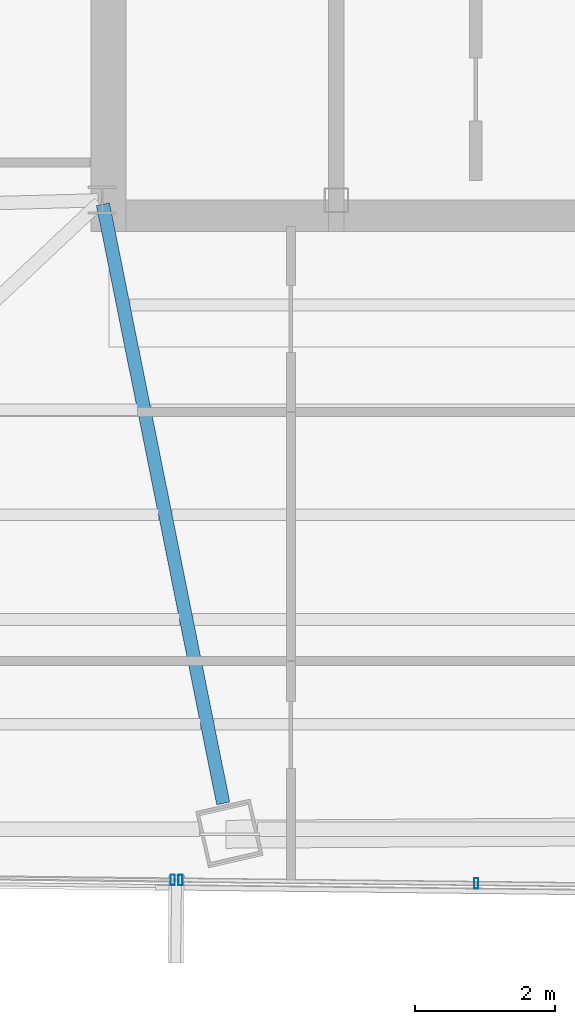
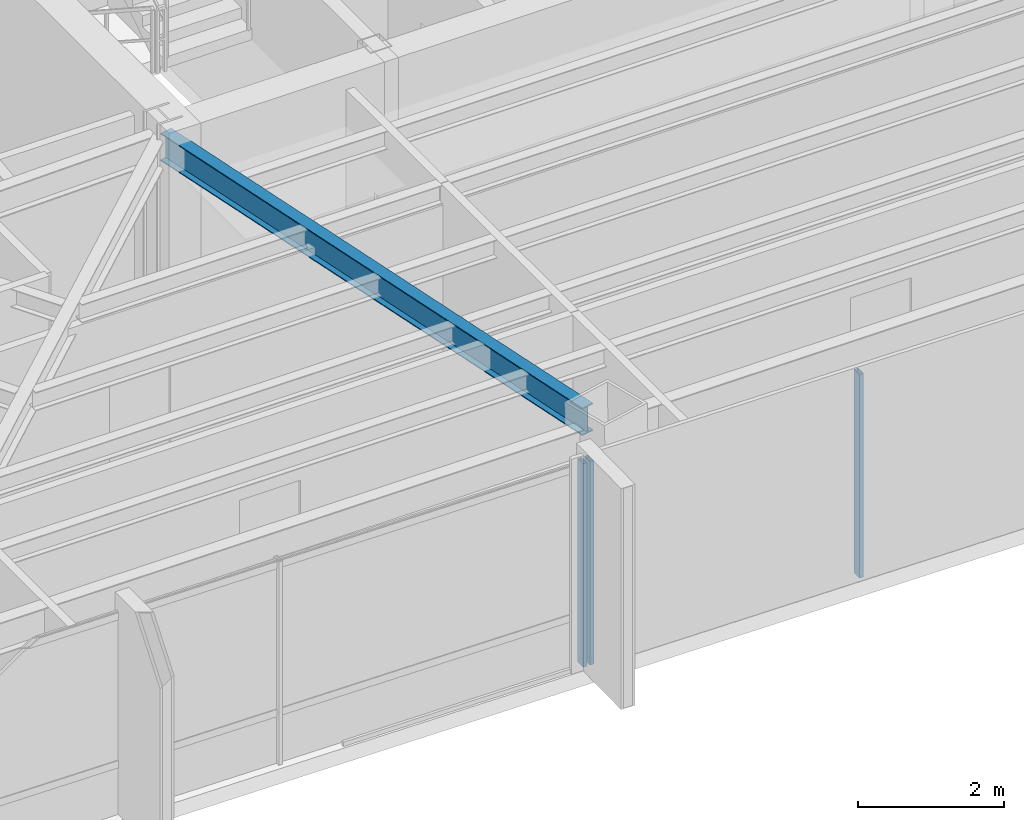
# One storey, part 9 of 42: 3 members, 1 beam, 2 elements without a shape of their own.
"""IFC4 building model written with IfcOpenShell, lengths in metres."""

from ifc_helpers import new_model, si_unit, direction, frame, origin, origin_2d, place, context, subcontext, project, spatial, hollow_rectangle, i_section, extrude, source, transform, mapped, material, material_profile, profile_set, type_object, type_shapes, element, aggregate, save


model = new_model("IFC4")

# Units and contexts
model_context = context("Model", 3, precision=1e-05, world=origin(), true_north=direction((0.0, 1.0)))
body_context = subcontext(model_context, "Body", "Model", "MODEL_VIEW")
ifc_project = project(units=[si_unit("LENGTHUNIT", "METRE"), si_unit("AREAUNIT", "SQUARE_METRE"), si_unit("VOLUMEUNIT", "CUBIC_METRE"), si_unit("PLANEANGLEUNIT", "RADIAN"), si_unit("MASSUNIT", "GRAM", prefix="KILO")], contexts=[model_context])

# Site, building, storey
site_placement = place(None, origin())
site = spatial("IfcSite", under=ifc_project, at=site_placement, CompositionType="ELEMENT")
building_placement = place(site_placement, origin())
building = spatial("IfcBuilding", under=site, at=building_placement, Name="Caelisora Broadcast Tower", CompositionType="ELEMENT")
storey_placement = place(building_placement, frame((0.0, 0.0, 205.949951171875)))
storey = spatial("IfcBuildingStorey", under=building, at=storey_placement, Name="L54", CompositionType="ELEMENT", Elevation=205.949951171875)

# Beam
ifc_material_1 = material(Name="Steel Grade 350 (AS/NZS 3679.1)", Category="steel")
ifc_material_profile_1 = material_profile(ifc_material_1, i_section(OverallWidth=0.19091796875, OverallDepth=0.46044921875, WebThickness=0.010009765625, FlangeThickness=0.01611328125, at=origin_2d()), Name="Steel Grade 350 (AS/NZS 3679.1)")
ifc_profile_set_1 = profile_set([ifc_material_profile_1], Name="Steel Grade 350 (AS/NZS 3679.1)")
beam_type = type_object("IfcBeamType", Name="PG06", PredefinedType="BEAM", material=ifc_profile_set_1)
shared_shape_1 = source(origin(), body_context, "Body", "SweptSolid", [
    extrude(i_section(OverallWidth=0.19091796875, OverallDepth=0.46044921875, WebThickness=0.010009765625, FlangeThickness=0.01611328125, at=origin_2d()), origin(), (0.0, 0.0, 1.0), 8.73876953125),
])
type_shapes(beam_type, [shared_shape_1])
beam_placement = place(storey_placement, frame((30.51171875, 17.34130859375, 3.169921875), z_axis=(0.196793039957, -0.980445051711, 0.0), x_axis=(0.980445051711, 0.196793039957, 0.0)))
element("IfcBeam", 1, at=beam_placement, inside=storey, type_object=beam_type, Name="L54 beam PG06", PredefinedType="BEAM", context=body_context, shape_type="MappedRepresentation", body=[
    mapped(shared_shape_1, transform((0.0, 0.0, 0.0), scale=1.0)),
])

# Curtain wall, members
ifc_material_2 = material(Name="Unitised Aluminium Insulated Shadow-Box Spandrel Curtain Wall", Category="aluminium")
curtain_wall_type_1 = type_object("IfcCurtainWallType", Name="CW-SP2", PredefinedType="NOTDEFINED", material=ifc_material_2)
curtain_wall_1_placement = place(storey_placement, origin())
curtain_wall_1 = element("IfcCurtainWall", 2, at=curtain_wall_1_placement, inside=storey, type_object=curtain_wall_type_1, Name="L54 curtain wall CW-SP2", PredefinedType="NOTDEFINED")
ifc_material_3 = material(Name="Aluminium 6063-T6 Anodised Terracotta Bronze", Category="aluminium")
ifc_material_profile_2 = material_profile(ifc_material_3, hollow_rectangle(XDim=0.06005859375, YDim=0.14990234375, WallThickness=0.00341796875, at=origin_2d()), Name="Aluminium 6063-T6 Anodised Terracotta Bronze")
ifc_profile_set_2 = profile_set([ifc_material_profile_2], Name="Aluminium 6063-T6 Anodised Terracotta Bronze")
member_type = type_object("IfcMemberType", Name="CWM-03", PredefinedType="MULLION", material=ifc_profile_set_2)
shared_shape_2 = source(origin(), body_context, "Body", "SweptSolid", [
    extrude(hollow_rectangle(XDim=0.06005859375, YDim=0.14990234375, WallThickness=0.00341796875, at=origin_2d()), origin(), (0.0, 0.0, 1.0), 3.400146484375),
])
type_shapes(member_type, [shared_shape_2])
member_1_placement = place(storey_placement, frame((35.850830078125, 7.62939453125, 0.0), z_axis=(0.0, 0.0, 1.0), x_axis=(1.0, 0.0, 0.0)))
member_1 = element("IfcMember", 3, at=member_1_placement, type_object=member_type, Name="L54-CW-B06 mullion #2", PredefinedType="MULLION", context=body_context, shape_type="MappedRepresentation", body=[
    mapped(shared_shape_2, transform((0.0, 0.0, 0.0), scale=1.0)),
])
member_2_placement = place(storey_placement, frame((31.619384765625, 7.677734375, 0.0), z_axis=(0.0, 0.0, 1.0), x_axis=(1.0, 0.0, 0.0)))
member_2 = element("IfcMember", 4, at=member_2_placement, type_object=member_type, Name="L54-CW-B06 mullion #3", PredefinedType="MULLION", context=body_context, shape_type="MappedRepresentation", body=[
    mapped(shared_shape_2, transform((0.0, 0.0, 0.0), scale=1.0)),
])
aggregate(curtain_wall_1, [member_1, member_2])

# Curtain wall, member
ifc_material_4 = material(Name="Unitised Aluminium and Low-E Glass Curtain Wall", Category="glass")
curtain_wall_type_2 = type_object("IfcCurtainWallType", Name="CW-Z4", PredefinedType="NOTDEFINED", material=ifc_material_4)
curtain_wall_2_placement = place(storey_placement, origin())
curtain_wall_2 = element("IfcCurtainWall", 5, at=curtain_wall_2_placement, inside=storey, type_object=curtain_wall_type_2, Name="L54 curtain wall CW-Z4", PredefinedType="NOTDEFINED")
member_3_placement = place(storey_placement, frame((31.509521484375, 7.678955078125, 0.0), z_axis=(0.0, 0.0, 1.0), x_axis=(1.0, 0.0, 0.0)))
member_3 = element("IfcMember", 6, at=member_3_placement, type_object=member_type, Name="L54-CW-B07 mullion #0", PredefinedType="MULLION", context=body_context, shape_type="MappedRepresentation", body=[
    mapped(shared_shape_2, transform((0.0, 0.0, 0.0), scale=1.0)),
])
aggregate(curtain_wall_2, [member_3])

save(model, "model.ifc")
